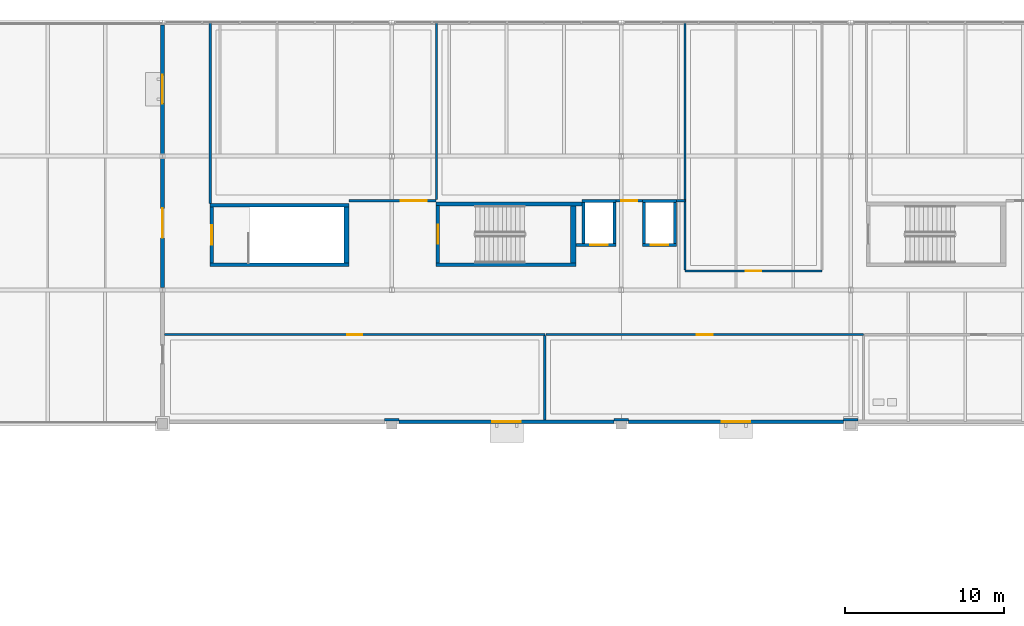
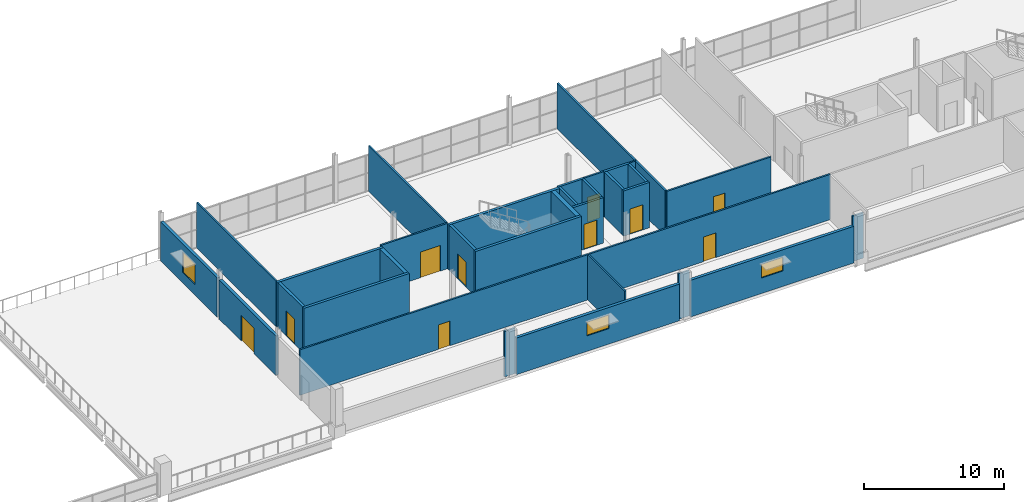
# One storey, part 58 of 68: 34 walls, 10 doors, 3 windows, 13 openings.
"""IFC4 building model written with IfcOpenShell, lengths in metres."""

from ifc_helpers import new_model, si_unit, direction, frame, frame_2d, origin, place, context, subcontext, project, spatial, rectangle, extrude, material, layer, layer_set, type_object, element, fill, save


model = new_model("IFC4")

# Units and contexts
model_context = context("Model", 3, precision=1e-05, world=origin(), true_north=direction((0.0, 1.0)))
body_context = subcontext(model_context, "Body", "Model", "MODEL_VIEW")
ifc_project = project(units=[si_unit("LENGTHUNIT", "METRE"), si_unit("AREAUNIT", "SQUARE_METRE"), si_unit("VOLUMEUNIT", "CUBIC_METRE"), si_unit("PLANEANGLEUNIT", "RADIAN"), si_unit("MASSUNIT", "GRAM", prefix="KILO"), si_unit("THERMODYNAMICTEMPERATUREUNIT", "KELVIN")], contexts=[model_context])

# Site, building, storey
site_placement = place(None, origin())
site = spatial("IfcSite", under=ifc_project, at=site_placement, CompositionType="ELEMENT")
building_placement = place(site_placement, origin())
building = spatial("IfcBuilding", under=site, at=building_placement, Name="Nduvali Passage Aquatics Centre", CompositionType="ELEMENT")
storey_placement = place(building_placement, frame((0.0, 0.0, 13.199951171875)))
storey = spatial("IfcBuildingStorey", under=building, at=storey_placement, Name="L03", CompositionType="ELEMENT", Elevation=13.199951171875)

# Wall, opening, door
ifc_material_1 = material(Name="Precast concrete C40/50", Category="concrete")
ifc_layer_1 = layer(ifc_material_1, 0.239990234375, Name="Precast concrete C40/50")
ifc_layer_set_1 = layer_set([ifc_layer_1], Name="Precast concrete C40/50")
wall_type_1 = type_object("IfcWallType", Name="ENV-WAL-SPAND240", PredefinedType="STANDARD", material=ifc_layer_set_1)
wall_1_placement = place(storey_placement, frame((54.0, 109.050048828125, 0.0), z_axis=(0.0, 0.0, 1.0), x_axis=(0.0, -1.0, 0.0)))
wall_1 = element("IfcWall", 1, at=wall_1_placement, inside=storey, type_object=wall_type_1, Name="L03 North Wing West Stepped Facade 0073", PredefinedType="STANDARD", context=body_context, shape_type="SweptSolid", body=[
    extrude(rectangle(XDim=8.10009765625, YDim=0.239990234375, at=frame_2d((4.050048828125, 0.0))), origin(), (0.0, 0.0, 1.0), 3.4267578125),
])
opening_1_placement = place(wall_1_placement, frame((3.125, 0.0, 0.0)))
opening_1 = element("IfcOpeningElement", 2, at=opening_1_placement, cuts=wall_1, Name="Opening TD-EXT1", PredefinedType="OPENING", context=body_context, shape_type="SweptSolid", body=[
    extrude(rectangle(XDim=1.85009765625, YDim=2.25, at=frame_2d((0.925048828125, 1.125))), frame((0.0, 0.134765625, 0.0), z_axis=(0.0, -1.0, 0.0), x_axis=(1.0, 0.0, 0.0)), (0.0, 0.0, 1.0), 0.269775390625),
])
ifc_material_2 = material(Name="Aluminium-framed glazed door", Category="aluminium")
door_type_1 = type_object("IfcDoorType", Name="ENV-DR-TER180", OperationType="DOUBLE_DOOR_SINGLE_SWING", PredefinedType="DOOR", material=ifc_material_2)
door_1_placement = place(opening_1_placement, frame((1.85009765625, 0.0, 0.0), z_axis=(0.0, 0.0, 1.0), x_axis=(-1.0, 0.0, 0.0)))
door_1 = element("IfcDoor", 3, at=door_1_placement, inside=storey, type_object=door_type_1, Name="L03 Exterior Exit Door TD-EXT1-022", OperationType="DOUBLE_DOOR_SINGLE_SWING", OverallHeight=2.25, OverallWidth=1.85009765625, PredefinedType="DOOR", context=body_context, shape_type="SweptSolid", body=[
    extrude(rectangle(XDim=1.85009765625, YDim=2.25, at=frame_2d((0.925048828125, 1.125))), frame((0.0, 0.02490234375, 0.0), z_axis=(0.0, -1.0, 0.0), x_axis=(1.0, 0.0, 0.0)), (0.0, 0.0, 1.0), 0.050048828125),
])
fill(opening_1, door_1)

# Wall, opening, window
wall_2_placement = place(storey_placement, frame((54.0, 117.449951171875, 0.0), z_axis=(0.0, 0.0, 1.0), x_axis=(0.0, -1.0, 0.0)))
wall_2 = element("IfcWall", 4, at=wall_2_placement, inside=storey, type_object=wall_type_1, Name="L03 North Wing West Stepped Facade 0074", PredefinedType="STANDARD", context=body_context, shape_type="SweptSolid", body=[
    extrude(rectangle(XDim=8.099853515625, YDim=0.239990234375, at=frame_2d((4.0498046875, 0.0))), origin(), (0.0, 0.0, 1.0), 3.4267578125),
])
opening_2_placement = place(wall_2_placement, frame((3.14990234375, 0.0, 0.89990234375)))
opening_2 = element("IfcOpeningElement", 5, at=opening_2_placement, cuts=wall_2, Name="Opening W2", PredefinedType="OPENING", context=body_context, shape_type="SweptSolid", body=[
    extrude(rectangle(XDim=1.800048828125, YDim=1.800048828125, at=frame_2d((0.89990234375, 0.89990234375))), frame((0.0, 0.134765625, 0.0), z_axis=(0.0, -1.0, 0.0), x_axis=(1.0, 0.0, 0.0)), (0.0, 0.0, 1.0), 0.269775390625),
])
ifc_material_3 = material(Name="Aluminium-framed solar-control low-E IGU", Category="aluminium")
window_type_1 = type_object("IfcWindowType", Name="ENV-WIN-W2", PartitioningType="SINGLE_PANEL", PredefinedType="WINDOW", material=ifc_material_3)
window_1_placement = place(opening_2_placement, origin())
window_1 = element("IfcWindow", 6, at=window_1_placement, inside=storey, type_object=window_type_1, Name="L03 Exterior Window W2-0071", OverallHeight=1.800048828125, OverallWidth=1.800048828125, PartitioningType="SINGLE_PANEL", PredefinedType="WINDOW", context=body_context, shape_type="SweptSolid", body=[
    extrude(rectangle(XDim=1.800048828125, YDim=1.800048828125, at=frame_2d((0.89990234375, 0.89990234375))), frame((0.0, 0.030029296875, 0.0), z_axis=(0.0, -1.0, 0.0), x_axis=(1.0, 0.0, 0.0)), (0.0, 0.0, 1.0), 0.06005859375),
])
fill(opening_2, window_1)

wall_3_placement = place(storey_placement, frame((68.85009765625, 92.530029296875, 0.0), z_axis=(0.0, 0.0, 1.0), x_axis=(1.0, 0.0, 0.0)))
wall_3 = element("IfcWall", 7, at=wall_3_placement, inside=storey, type_object=wall_type_1, Name="L03 North Wing South High Overlook Wall 0076", PredefinedType="STANDARD", context=body_context, shape_type="SweptSolid", body=[
    extrude(rectangle(XDim=13.5, YDim=0.239990234375, at=frame_2d((6.75, 0.0))), origin(), (0.0, 0.0, 1.0), 3.203857421875),
])
opening_3_placement = place(wall_3_placement, frame((5.85009765625, 0.0, 1.35009765625)))
opening_3 = element("IfcOpeningElement", 8, at=opening_3_placement, cuts=wall_3, Name="Opening W8", PredefinedType="OPENING", context=body_context, shape_type="SweptSolid", body=[
    extrude(rectangle(XDim=1.800048828125, YDim=1.199951171875, at=frame_2d((0.89990234375, 0.60009765625))), frame((0.0, 0.134765625, 0.0), z_axis=(0.0, -1.0, 0.0), x_axis=(1.0, 0.0, 0.0)), (0.0, 0.0, 1.0), 0.269775390625),
])
window_type_2 = type_object("IfcWindowType", Name="ENV-WIN-W8", PartitioningType="SINGLE_PANEL", PredefinedType="WINDOW", material=ifc_material_3)
window_2_placement = place(opening_3_placement, origin())
window_2 = element("IfcWindow", 9, at=window_2_placement, inside=storey, type_object=window_type_2, Name="L03 Exterior Window W8-0072", OverallHeight=1.199951171875, OverallWidth=1.800048828125, PartitioningType="SINGLE_PANEL", PredefinedType="WINDOW", context=body_context, shape_type="SweptSolid", body=[
    extrude(rectangle(XDim=1.800048828125, YDim=1.199951171875, at=frame_2d((0.89990234375, 0.60009765625))), frame((0.0, 0.030029296875, 0.0), z_axis=(0.0, -1.0, 0.0), x_axis=(1.0, 0.0, 0.0)), (0.0, 0.0, 1.0), 0.06005859375),
])
fill(opening_3, window_2)

wall_4_placement = place(storey_placement, frame((83.25, 92.530029296875, 0.0), z_axis=(0.0, 0.0, 1.0), x_axis=(1.0, 0.0, 0.0)))
wall_4 = element("IfcWall", 10, at=wall_4_placement, inside=storey, type_object=wall_type_1, Name="L03 North Wing South High Overlook Wall 0077", PredefinedType="STANDARD", context=body_context, shape_type="SweptSolid", body=[
    extrude(rectangle(XDim=13.5, YDim=0.239990234375, at=frame_2d((6.75, 0.0))), origin(), (0.0, 0.0, 1.0), 3.203857421875),
])
opening_4_placement = place(wall_4_placement, frame((5.85009765625, 0.0, 1.35009765625)))
opening_4 = element("IfcOpeningElement", 11, at=opening_4_placement, cuts=wall_4, Name="Opening W8", PredefinedType="OPENING", context=body_context, shape_type="SweptSolid", body=[
    extrude(rectangle(XDim=1.800048828125, YDim=1.199951171875, at=frame_2d((0.89990234375, 0.60009765625))), frame((0.0, 0.134765625, 0.0), z_axis=(0.0, -1.0, 0.0), x_axis=(1.0, 0.0, 0.0)), (0.0, 0.0, 1.0), 0.269775390625),
])
window_3_placement = place(opening_4_placement, origin())
window_3 = element("IfcWindow", 12, at=window_3_placement, inside=storey, type_object=window_type_2, Name="L03 Exterior Window W8-0073", OverallHeight=1.199951171875, OverallWidth=1.800048828125, PartitioningType="SINGLE_PANEL", PredefinedType="WINDOW", context=body_context, shape_type="SweptSolid", body=[
    extrude(rectangle(XDim=1.800048828125, YDim=1.199951171875, at=frame_2d((0.89990234375, 0.60009765625))), frame((0.0, 0.030029296875, 0.0), z_axis=(0.0, -1.0, 0.0), x_axis=(1.0, 0.0, 0.0)), (0.0, 0.0, 1.0), 0.06005859375),
])
fill(opening_4, window_3)

# Walls
ifc_material_4 = material(Name="Concrete C40/50", Category="concrete")
ifc_layer_2 = layer(ifc_material_4, 0.219970703125, Name="Concrete C40/50")
ifc_layer_set_2 = layer_set([ifc_layer_2], Name="Concrete C40/50")
wall_type_2 = type_object("IfcWallType", Name="INT-WAL-CORE220", PredefinedType="SOLIDWALL", material=ifc_layer_set_2)
wall_5_placement = place(storey_placement, frame((71.179931640625, 102.389892578125, 0.0), z_axis=(0.0, 0.0, 1.0), x_axis=(1.0, 0.0, 0.0)))
element("IfcWall", 13, at=wall_5_placement, inside=storey, type_object=wall_type_2, Name="L03 Stair ST1 Core Wall S", PredefinedType="SOLIDWALL", context=body_context, shape_type="SweptSolid", body=[
    extrude(rectangle(XDim=8.77001953125, YDim=0.219970703125, at=frame_2d((4.385009765625, 0.0))), origin(), (0.0, 0.0, 1.0), 3.969970703125),
])
wall_6_placement = place(storey_placement, frame((80.330078125, 106.199951171875, 0.0), z_axis=(0.0, 0.0, 1.0), x_axis=(-1.0, 0.0, 0.0)))
element("IfcWall", 14, at=wall_6_placement, inside=storey, type_object=wall_type_2, Name="L03 Stair ST1 Core Wall N", PredefinedType="SOLIDWALL", context=body_context, shape_type="SweptSolid", body=[
    extrude(rectangle(XDim=9.150146484375, YDim=0.219970703125, at=frame_2d((4.5751953125, 0.0))), origin(), (0.0, 0.0, 1.0), 3.969970703125),
])

# Wall, opening, door
wall_7_placement = place(storey_placement, frame((71.2900390625, 106.090087890625, 0.0), z_axis=(0.0, 0.0, 1.0), x_axis=(0.0, -1.0, 0.0)))
wall_7 = element("IfcWall", 15, at=wall_7_placement, inside=storey, type_object=wall_type_2, Name="L03 Stair ST1 Core Wall W", PredefinedType="SOLIDWALL", context=body_context, shape_type="SweptSolid", body=[
    extrude(rectangle(XDim=3.590087890625, YDim=0.219970703125, at=frame_2d((1.794921875, 0.0))), origin(), (0.0, 0.0, 1.0), 3.969970703125),
])
opening_5_placement = place(wall_7_placement, frame((1.195068359375, 0.0, 0.0)))
opening_5 = element("IfcOpeningElement", 16, at=opening_5_placement, cuts=wall_7, Name="Opening FD-ST2", PredefinedType="OPENING", context=body_context, shape_type="SweptSolid", body=[
    extrude(rectangle(XDim=1.199951171875, YDim=2.199951171875, at=frame_2d((0.60009765625, 1.10009765625))), frame((0.0, 0.125, 0.0), z_axis=(0.0, -1.0, 0.0), x_axis=(1.0, 0.0, 0.0)), (0.0, 0.0, 1.0), 0.249755859375),
])
ifc_material_5 = material(Name="Galvanised steel door", Category="steel")
door_type_2 = type_object("IfcDoorType", Name="INT-DR-ST120", OperationType="NOTDEFINED", PredefinedType="DOOR", material=ifc_material_5)
door_2_placement = place(opening_5_placement, frame((1.199951171875, 0.0, 0.0), z_axis=(0.0, 0.0, 1.0), x_axis=(-1.0, 0.0, 0.0)))
door_2 = element("IfcDoor", 17, at=door_2_placement, inside=storey, type_object=door_type_2, Name="L03 Stair ST1 Fire Lobby Door", OperationType="SINGLE_SWING_RIGHT", OverallHeight=2.199951171875, OverallWidth=1.199951171875, PredefinedType="DOOR", context=body_context, shape_type="SweptSolid", body=[
    extrude(rectangle(XDim=1.199951171875, YDim=2.199951171875, at=frame_2d((0.60009765625, 1.10009765625))), frame((0.0, 0.02490234375, 0.0), z_axis=(0.0, -1.0, 0.0), x_axis=(1.0, 0.0, 0.0)), (0.0, 0.0, 1.0), 0.050048828125),
])
fill(opening_5, door_2)

# Walls
for number, where, z_axis, x_axis, name in (
    (18, (56.97998046875, 102.389892578125, 0.0), (0.0, 0.0, 1.0), (1.0, 0.0, 0.0), "L03 Stair ST3 Core Wall S"),
    (19, (65.699951171875, 106.1201171875, 0.0), (0.0, 0.0, 1.0), (-1.0, 0.0, 0.0), "L03 Stair ST3 Core Wall N"),
):
    element("IfcWall", number, at=place(storey_placement, frame(where, z_axis=z_axis, x_axis=x_axis)), inside=storey, type_object=wall_type_2, Name=name, PredefinedType="SOLIDWALL", context=body_context, shape_type="SweptSolid", body=[
        extrude(rectangle(XDim=8.719970703125, YDim=0.219970703125, at=frame_2d((4.35986328125, 0.0))), origin(), (0.0, 0.0, 1.0), 3.969970703125),
    ])

# Wall, opening, door
wall_8_placement = place(storey_placement, frame((57.090087890625, 106.010009765625, 0.0), z_axis=(0.0, 0.0, 1.0), x_axis=(0.0, -1.0, 0.0)))
wall_8 = element("IfcWall", 20, at=wall_8_placement, inside=storey, type_object=wall_type_2, Name="L03 Stair ST3 Core Wall W", PredefinedType="SOLIDWALL", context=body_context, shape_type="SweptSolid", body=[
    extrude(rectangle(XDim=3.510009765625, YDim=0.219970703125, at=frame_2d((1.7548828125, 0.0))), origin(), (0.0, 0.0, 1.0), 3.969970703125),
])
opening_6_placement = place(wall_8_placement, frame((1.155029296875, 0.0, 0.0)))
opening_6 = element("IfcOpeningElement", 21, at=opening_6_placement, cuts=wall_8, Name="Opening FD-ST2", PredefinedType="OPENING", context=body_context, shape_type="SweptSolid", body=[
    extrude(rectangle(XDim=1.199951171875, YDim=2.199951171875, at=frame_2d((0.60009765625, 1.10009765625))), frame((0.0, 0.125, 0.0), z_axis=(0.0, -1.0, 0.0), x_axis=(1.0, 0.0, 0.0)), (0.0, 0.0, 1.0), 0.249755859375),
])
door_3_placement = place(opening_6_placement, frame((1.199951171875, 0.0, 0.0), z_axis=(0.0, 0.0, 1.0), x_axis=(-1.0, 0.0, 0.0)))
door_3 = element("IfcDoor", 22, at=door_3_placement, inside=storey, type_object=door_type_2, Name="L03 Stair ST3 Fire Lobby Door", OperationType="SINGLE_SWING_LEFT", OverallHeight=2.199951171875, OverallWidth=1.199951171875, PredefinedType="DOOR", context=body_context, shape_type="SweptSolid", body=[
    extrude(rectangle(XDim=1.199951171875, YDim=2.199951171875, at=frame_2d((0.60009765625, 1.10009765625))), frame((0.0, 0.02490234375, 0.0), z_axis=(0.0, -1.0, 0.0), x_axis=(1.0, 0.0, 0.0)), (0.0, 0.0, 1.0), 0.050048828125),
])
fill(opening_6, door_3)

ifc_material_6 = material(Name="Gypsum acoustic stud partition")
ifc_layer_3 = layer(ifc_material_6, 0.139892578125, Name="Gypsum acoustic stud partition")
ifc_layer_set_3 = layer_set([ifc_layer_3], Name="Gypsum acoustic stud partition")
wall_type_3 = type_object("IfcWallType", Name="INT-WAL-PART140", PredefinedType="PARTITIONING", material=ifc_layer_set_3)
wall_9_placement = place(storey_placement, frame((65.699951171875, 106.39990234375, 0.0), z_axis=(0.0, 0.0, 1.0), x_axis=(1.0, 0.0, 0.0)))
wall_9 = element("IfcWall", 23, at=wall_9_placement, inside=storey, type_object=wall_type_3, Name="L03 Community Water-Safety Teaching Suite 1 Partition 0203", PredefinedType="PARTITIONING", context=body_context, shape_type="SweptSolid", body=[
    extrude(rectangle(XDim=5.47998046875, YDim=0.139892578125, at=frame_2d((2.739990234375, 0.0))), origin(), (0.0, 0.0, 1.0), 3.969970703125),
])
opening_7_placement = place(wall_9_placement, frame((3.2451171875, 0.0, 0.0)))
opening_7 = element("IfcOpeningElement", 24, at=opening_7_placement, cuts=wall_9, Name="Opening SD1", PredefinedType="OPENING", context=body_context, shape_type="SweptSolid", body=[
    extrude(rectangle(XDim=1.64990234375, YDim=2.25, at=frame_2d((0.824951171875, 1.125))), frame((0.0, 0.0849609375, 0.0), z_axis=(0.0, -1.0, 0.0), x_axis=(1.0, 0.0, 0.0)), (0.0, 0.0, 1.0), 0.169677734375),
])
door_type_3 = type_object("IfcDoorType", Name="INT-DR-SLD160", OperationType="DOUBLE_DOOR_SLIDING", PredefinedType="DOOR", material=ifc_material_2)
door_4_placement = place(opening_7_placement, origin())
door_4 = element("IfcDoor", 25, at=door_4_placement, inside=storey, type_object=door_type_3, Name="L03 Community Water-Safety Teaching Suite 1 Door 0070", OperationType="DOUBLE_DOOR_SLIDING", OverallHeight=2.25, OverallWidth=1.64990234375, PredefinedType="DOOR", context=body_context, shape_type="SweptSolid", body=[
    extrude(rectangle(XDim=1.64990234375, YDim=2.25, at=frame_2d((0.824951171875, 1.125))), frame((0.0, 0.02490234375, 0.0), z_axis=(0.0, -1.0, 0.0), x_axis=(1.0, 0.0, 0.0)), (0.0, 0.0, 1.0), 0.050048828125),
])
fill(opening_7, door_4)

# Walls
wall_10_placement = place(storey_placement, frame((57.0, 106.22998046875, 0.0), z_axis=(0.0, 0.0, 1.0), x_axis=(0.0, 1.0, 0.0)))
element("IfcWall", 26, at=wall_10_placement, inside=storey, type_object=wall_type_3, Name="L03 Community Water-Safety Teaching Suite 1 Partition 0204", PredefinedType="PARTITIONING", context=body_context, shape_type="SweptSolid", body=[
    extrude(rectangle(XDim=11.35009765625, YDim=0.139892578125, at=frame_2d((5.675048828125, 0.0))), origin(), (0.0, 0.0, 1.0), 3.969970703125),
])
wall_11_placement = place(storey_placement, frame((71.199951171875, 106.469970703125, 0.0), z_axis=(0.0, 0.0, 1.0), x_axis=(0.0, 1.0, 0.0)))
element("IfcWall", 27, at=wall_11_placement, inside=storey, type_object=wall_type_3, Name="L03 Community Water-Safety Teaching Suite 1 Partition 0205", PredefinedType="PARTITIONING", context=body_context, shape_type="SweptSolid", body=[
    extrude(rectangle(XDim=11.110107421875, YDim=0.139892578125, at=frame_2d((5.55517578125, 0.0))), origin(), (0.0, 0.0, 1.0), 3.969970703125),
])

# Wall, opening, door
wall_12_placement = place(storey_placement, frame((82.469970703125, 106.39990234375, 0.0), z_axis=(0.0, 0.0, 1.0), x_axis=(1.0, 0.0, 0.0)))
wall_12 = element("IfcWall", 28, at=wall_12_placement, inside=storey, type_object=wall_type_3, Name="L03 Marine Lifesaving Simulation Classroom Partition 0206", PredefinedType="PARTITIONING", context=body_context, shape_type="SweptSolid", body=[
    extrude(rectangle(XDim=1.659912109375, YDim=0.139892578125, at=frame_2d((0.830078125, 0.0))), origin(), (0.0, 0.0, 1.0), 3.969970703125),
])
opening_8_placement = place(wall_12_placement, frame((0.320068359375, 0.0, 0.0)))
opening_8 = element("IfcOpeningElement", 29, at=opening_8_placement, cuts=wall_12, Name="Opening ID1", PredefinedType="OPENING", context=body_context, shape_type="SweptSolid", body=[
    extrude(rectangle(XDim=1.02001953125, YDim=2.14990234375, at=frame_2d((0.510009765625, 1.074951171875))), frame((0.0, 0.0849609375, 0.0), z_axis=(0.0, -1.0, 0.0), x_axis=(1.0, 0.0, 0.0)), (0.0, 0.0, 1.0), 0.169677734375),
])
ifc_material_7 = material(Name="Timber solid-core door", Category="wood")
door_type_4 = type_object("IfcDoorType", Name="INT-DR-STD100", OperationType="NOTDEFINED", PredefinedType="DOOR", material=ifc_material_7)
door_5_placement = place(opening_8_placement, frame((1.02001953125, 0.0, 0.0), z_axis=(0.0, 0.0, 1.0), x_axis=(-1.0, 0.0, 0.0)))
door_5 = element("IfcDoor", 30, at=door_5_placement, inside=storey, type_object=door_type_4, Name="L03 Marine Lifesaving Simulation Classroom Door 0071", OperationType="SINGLE_SWING_RIGHT", OverallHeight=2.14990234375, OverallWidth=1.02001953125, PredefinedType="DOOR", context=body_context, shape_type="SweptSolid", body=[
    extrude(rectangle(XDim=1.02001953125, YDim=2.14990234375, at=frame_2d((0.510009765625, 1.074951171875))), frame((0.0, 0.02490234375, 0.0), z_axis=(0.0, -1.0, 0.0), x_axis=(1.0, 0.0, 0.0)), (0.0, 0.0, 1.0), 0.050048828125),
])
fill(opening_8, door_5)

# Walls
wall_13_placement = place(storey_placement, frame((86.27001953125, 106.39990234375, 0.0), z_axis=(0.0, 0.0, 1.0), x_axis=(1.0, 0.0, 0.0)))
element("IfcWall", 31, at=wall_13_placement, inside=storey, type_object=wall_type_3, Name="L03 Marine Lifesaving Simulation Classroom Partition 0207", PredefinedType="PARTITIONING", context=body_context, shape_type="SweptSolid", body=[
    extrude(rectangle(XDim=0.530029296875, YDim=0.139892578125, at=frame_2d((0.26513671875, 0.0))), origin(), (0.0, 0.0, 1.0), 3.969970703125),
])
wall_14_placement = place(storey_placement, frame((86.800048828125, 106.469970703125, 0.0), z_axis=(0.0, 0.0, 1.0), x_axis=(0.0, 1.0, 0.0)))
element("IfcWall", 32, at=wall_14_placement, inside=storey, type_object=wall_type_3, Name="L03 Marine Lifesaving Simulation Classroom Partition 0208", PredefinedType="PARTITIONING", context=body_context, shape_type="SweptSolid", body=[
    extrude(rectangle(XDim=11.110107421875, YDim=0.139892578125, at=frame_2d((5.55517578125, 0.0))), origin(), (0.0, 0.0, 1.0), 3.969970703125),
])

# Wall, opening, door
wall_15_placement = place(storey_placement, frame((86.800048828125, 102.0, 0.0), z_axis=(0.0, 0.0, 1.0), x_axis=(1.0, 0.0, 0.0)))
wall_15 = element("IfcWall", 33, at=wall_15_placement, inside=storey, type_object=wall_type_3, Name="L03 Tanzania Aquatics Federation Administration Suite Partition 0209", PredefinedType="PARTITIONING", context=body_context, shape_type="SweptSolid", body=[
    extrude(rectangle(XDim=8.599853515625, YDim=0.139892578125, at=frame_2d((4.2998046875, 0.0))), origin(), (0.0, 0.0, 1.0), 3.969970703125),
])
opening_9_placement = place(wall_15_placement, frame((3.824951171875, 0.0, 0.0)))
opening_9 = element("IfcOpeningElement", 34, at=opening_9_placement, cuts=wall_15, Name="Opening ID2", PredefinedType="OPENING", context=body_context, shape_type="SweptSolid", body=[
    extrude(rectangle(XDim=0.949951171875, YDim=2.14990234375, at=frame_2d((0.47509765625, 1.074951171875))), frame((0.0, 0.0849609375, 0.0), z_axis=(0.0, -1.0, 0.0), x_axis=(1.0, 0.0, 0.0)), (0.0, 0.0, 1.0), 0.169677734375),
])
door_type_5 = type_object("IfcDoorType", Name="INT-DR-STD95", OperationType="NOTDEFINED", PredefinedType="DOOR", material=ifc_material_7)
door_6_placement = place(opening_9_placement, origin())
door_6 = element("IfcDoor", 35, at=door_6_placement, inside=storey, type_object=door_type_5, Name="L03 Tanzania Aquatics Federation Administration Suite Door 0072", OperationType="SINGLE_SWING_LEFT", OverallHeight=2.14990234375, OverallWidth=0.949951171875, PredefinedType="DOOR", context=body_context, shape_type="SweptSolid", body=[
    extrude(rectangle(XDim=0.949951171875, YDim=2.14990234375, at=frame_2d((0.47509765625, 1.074951171875))), frame((0.0, 0.02490234375, 0.0), z_axis=(0.0, -1.0, 0.0), x_axis=(1.0, 0.0, 0.0)), (0.0, 0.0, 1.0), 0.050048828125),
])
fill(opening_9, door_6)

# Wall
wall_16_placement = place(storey_placement, frame((86.800048828125, 102.070068359375, 0.0), z_axis=(0.0, 0.0, 1.0), x_axis=(0.0, 1.0, 0.0)))
element("IfcWall", 36, at=wall_16_placement, inside=storey, type_object=wall_type_3, Name="L03 Tanzania Aquatics Federation Administration Suite Partition 0210", PredefinedType="PARTITIONING", context=body_context, shape_type="SweptSolid", body=[
    extrude(rectangle(XDim=4.39990234375, YDim=0.139892578125, at=frame_2d((2.199951171875, 0.0))), origin(), (0.0, 0.0, 1.0), 3.969970703125),
])

# Wall, opening, door
wall_17_placement = place(storey_placement, frame((54.1201171875, 98.0, 0.0), z_axis=(0.0, 0.0, 1.0), x_axis=(1.0, 0.0, 0.0)))
wall_17 = element("IfcWall", 37, at=wall_17_placement, inside=storey, type_object=wall_type_3, Name="L03 Lifeguard Certification and Coaching Seminar Suite Partition 0216", PredefinedType="PARTITIONING", context=body_context, shape_type="SweptSolid", body=[
    extrude(rectangle(XDim=23.8798828125, YDim=0.139892578125, at=frame_2d((11.93994140625, 0.0))), origin(), (0.0, 0.0, 1.0), 3.969970703125),
])
opening_10_placement = place(wall_17_placement, frame((11.465087890625, 0.0, 0.0)))
opening_10 = element("IfcOpeningElement", 38, at=opening_10_placement, cuts=wall_17, Name="Opening ID2", PredefinedType="OPENING", context=body_context, shape_type="SweptSolid", body=[
    extrude(rectangle(XDim=0.949951171875, YDim=2.14990234375, at=frame_2d((0.47509765625, 1.074951171875))), frame((0.0, 0.0849609375, 0.0), z_axis=(0.0, -1.0, 0.0), x_axis=(1.0, 0.0, 0.0)), (0.0, 0.0, 1.0), 0.169677734375),
])
door_7_placement = place(opening_10_placement, origin())
door_7 = element("IfcDoor", 39, at=door_7_placement, inside=storey, type_object=door_type_5, Name="L03 Lifeguard Certification and Coaching Seminar Suite Door 0074", OperationType="SINGLE_SWING_LEFT", OverallHeight=2.14990234375, OverallWidth=0.949951171875, PredefinedType="DOOR", context=body_context, shape_type="SweptSolid", body=[
    extrude(rectangle(XDim=0.949951171875, YDim=2.14990234375, at=frame_2d((0.47509765625, 1.074951171875))), frame((0.0, 0.02490234375, 0.0), z_axis=(0.0, -1.0, 0.0), x_axis=(1.0, 0.0, 0.0)), (0.0, 0.0, 1.0), 0.050048828125),
])
fill(opening_10, door_7)

# Walls
wall_18_placement = place(storey_placement, frame((67.949951171875, 92.659912109375, 0.0), z_axis=(0.0, 0.0, 1.0), x_axis=(1.0, 0.0, 0.0)))
element("IfcWall", 40, at=wall_18_placement, inside=storey, type_object=wall_type_3, Name="L03 Lifeguard Certification and Coaching Seminar Suite Partition 0217", PredefinedType="PARTITIONING", context=body_context, shape_type="SweptSolid", body=[
    extrude(rectangle(XDim=0.900146484375, YDim=0.139892578125, at=frame_2d((0.4501953125, 0.0))), origin(), (0.0, 0.0, 1.0), 3.969970703125),
])
wall_19_placement = place(storey_placement, frame((78.0, 92.64990234375, 0.0), z_axis=(0.0, 0.0, 1.0), x_axis=(0.0, 1.0, 0.0)))
element("IfcWall", 41, at=wall_19_placement, inside=storey, type_object=wall_type_3, Name="L03 Lifeguard Certification and Coaching Seminar Suite Partition 0218", PredefinedType="PARTITIONING", context=body_context, shape_type="SweptSolid", body=[
    extrude(rectangle(XDim=5.280029296875, YDim=0.139892578125, at=frame_2d((2.64013671875, 0.0))), origin(), (0.0, 0.0, 1.0), 3.969970703125),
])

# Wall, opening, door
wall_20_placement = place(storey_placement, frame((78.070068359375, 98.0, 0.0), z_axis=(0.0, 0.0, 1.0), x_axis=(1.0, 0.0, 0.0)))
wall_20 = element("IfcWall", 42, at=wall_20_placement, inside=storey, type_object=wall_type_3, Name="L03 Championship Organising Committee Boardroom Partition 0219", PredefinedType="PARTITIONING", context=body_context, shape_type="SweptSolid", body=[
    extrude(rectangle(XDim=19.929931640625, YDim=0.139892578125, at=frame_2d((9.96484375, 0.0))), origin(), (0.0, 0.0, 1.0), 3.969970703125),
])
opening_11_placement = place(wall_20_placement, frame((9.455078125, 0.0, 0.0)))
opening_11 = element("IfcOpeningElement", 43, at=opening_11_placement, cuts=wall_20, Name="Opening ID1", PredefinedType="OPENING", context=body_context, shape_type="SweptSolid", body=[
    extrude(rectangle(XDim=1.02001953125, YDim=2.14990234375, at=frame_2d((0.510009765625, 1.074951171875))), frame((0.0, 0.0849609375, 0.0), z_axis=(0.0, -1.0, 0.0), x_axis=(1.0, 0.0, 0.0)), (0.0, 0.0, 1.0), 0.169677734375),
])
door_8_placement = place(opening_11_placement, frame((1.02001953125, 0.0, 0.0), z_axis=(0.0, 0.0, 1.0), x_axis=(-1.0, 0.0, 0.0)))
door_8 = element("IfcDoor", 44, at=door_8_placement, inside=storey, type_object=door_type_4, Name="L03 Championship Organising Committee Boardroom Door 0075", OperationType="SINGLE_SWING_RIGHT", OverallHeight=2.14990234375, OverallWidth=1.02001953125, PredefinedType="DOOR", context=body_context, shape_type="SweptSolid", body=[
    extrude(rectangle(XDim=1.02001953125, YDim=2.14990234375, at=frame_2d((0.510009765625, 1.074951171875))), frame((0.0, 0.02490234375, 0.0), z_axis=(0.0, -1.0, 0.0), x_axis=(1.0, 0.0, 0.0)), (0.0, 0.0, 1.0), 0.050048828125),
])
fill(opening_11, door_8)

# Walls
for number, where, z_axis, x_axis, name in (
    (45, (82.35009765625, 92.659912109375, 0.0), (0.0, 0.0, 1.0), (1.0, 0.0, 0.0), "L03 Championship Organising Committee Boardroom Partition 0220"),
    (46, (96.75, 92.659912109375, 0.0), (0.0, 0.0, 1.0), (1.0, 0.0, 0.0), "L03 Championship Organising Committee Boardroom Partition 0221"),
):
    element("IfcWall", number, at=place(storey_placement, frame(where, z_axis=z_axis, x_axis=x_axis)), inside=storey, type_object=wall_type_3, Name=name, PredefinedType="PARTITIONING", context=body_context, shape_type="SweptSolid", body=[
        extrude(rectangle(XDim=0.89990234375, YDim=0.139892578125, at=frame_2d((0.449951171875, 0.0))), origin(), (0.0, 0.0, 1.0), 3.969970703125),
    ])

# Wall, opening, door
ifc_layer_4 = layer(ifc_material_4, 0.18994140625, Name="Concrete C40/50")
ifc_layer_set_4 = layer_set([ifc_layer_4], Name="Concrete C40/50")
wall_type_4 = type_object("IfcWallType", Name="INT-WAL-SHAFT200", PredefinedType="SOLIDWALL", material=ifc_layer_set_4)
wall_21_placement = place(storey_placement, frame((79.949951171875, 103.625, 0.0), z_axis=(0.0, 0.0, 1.0), x_axis=(1.0, 0.0, 0.0)))
wall_21 = element("IfcWall", 47, at=wall_21_placement, inside=storey, type_object=wall_type_4, Name="L03 Lift L1 Shaft Wall S", PredefinedType="SOLIDWALL", context=body_context, shape_type="SweptSolid", body=[
    extrude(rectangle(XDim=2.52001953125, YDim=0.18994140625, at=frame_2d((1.260009765625, 0.0))), origin(), (0.0, 0.0, 1.0), 3.969970703125),
])
opening_12_placement = place(wall_21_placement, frame((0.89990234375, 0.0, 0.0)))
opening_12 = element("IfcOpeningElement", 48, at=opening_12_placement, cuts=wall_21, Name="Opening LD1", PredefinedType="OPENING", context=body_context, shape_type="SweptSolid", body=[
    extrude(rectangle(XDim=1.10009765625, YDim=2.199951171875, at=frame_2d((0.550048828125, 1.10009765625))), frame((0.0, 0.10986328125, 0.0), z_axis=(0.0, -1.0, 0.0), x_axis=(1.0, 0.0, 0.0)), (0.0, 0.0, 1.0), 0.2197265625),
])
ifc_material_8 = material(Name="Stainless steel landing door", Category="steel")
door_type_6 = type_object("IfcDoorType", Name="INT-DR-LD1", OperationType="DOUBLE_DOOR_SLIDING", PredefinedType="DOOR", material=ifc_material_8)
door_9_placement = place(opening_12_placement, origin())
door_9 = element("IfcDoor", 49, at=door_9_placement, inside=storey, type_object=door_type_6, Name="L03 Lift L1 Sliding Landing Door LD1", OperationType="DOUBLE_DOOR_SLIDING", OverallHeight=2.199951171875, OverallWidth=1.10009765625, PredefinedType="DOOR", context=body_context, shape_type="SweptSolid", body=[
    extrude(rectangle(XDim=1.10009765625, YDim=2.199951171875, at=frame_2d((0.550048828125, 1.10009765625))), frame((0.0, 0.02490234375, 0.0), z_axis=(0.0, -1.0, 0.0), x_axis=(1.0, 0.0, 0.0)), (0.0, 0.0, 1.0), 0.050048828125),
])
fill(opening_12, door_9)

# Walls
wall_22_placement = place(storey_placement, frame((82.375, 103.719970703125, 0.0), z_axis=(0.0, 0.0, 1.0), x_axis=(0.0, 1.0, 0.0)))
element("IfcWall", 50, at=wall_22_placement, inside=storey, type_object=wall_type_4, Name="L03 Lift L1 Shaft Wall E", PredefinedType="SOLIDWALL", context=body_context, shape_type="SweptSolid", body=[
    extrude(rectangle(XDim=2.56005859375, YDim=0.18994140625, at=frame_2d((1.280029296875, 0.0))), origin(), (0.0, 0.0, 1.0), 3.969970703125),
])
wall_23_placement = place(storey_placement, frame((82.469970703125, 106.375, 0.0), z_axis=(0.0, 0.0, 1.0), x_axis=(-1.0, 0.0, 0.0)))
element("IfcWall", 51, at=wall_23_placement, inside=storey, type_object=wall_type_4, Name="L03 Lift L1 Shaft Wall N", PredefinedType="SOLIDWALL", context=body_context, shape_type="SweptSolid", body=[
    extrude(rectangle(XDim=2.139892578125, YDim=0.18994140625, at=frame_2d((1.06982421875, 0.0))), origin(), (0.0, 0.0, 1.0), 3.969970703125),
])
wall_24_placement = place(storey_placement, frame((80.425048828125, 106.280029296875, 0.0), z_axis=(0.0, 0.0, 1.0), x_axis=(0.0, -1.0, 0.0)))
element("IfcWall", 52, at=wall_24_placement, inside=storey, type_object=wall_type_4, Name="L03 Lift L1 Shaft Wall W", PredefinedType="SOLIDWALL", context=body_context, shape_type="SweptSolid", body=[
    extrude(rectangle(XDim=2.56005859375, YDim=0.18994140625, at=frame_2d((1.280029296875, 0.0))), origin(), (0.0, 0.0, 1.0), 3.969970703125),
])

# Wall, opening, door
wall_25_placement = place(storey_placement, frame((84.1298828125, 103.625, 0.0), z_axis=(0.0, 0.0, 1.0), x_axis=(1.0, 0.0, 0.0)))
wall_25 = element("IfcWall", 53, at=wall_25_placement, inside=storey, type_object=wall_type_4, Name="L03 Lift L2 Shaft Wall S", PredefinedType="SOLIDWALL", context=body_context, shape_type="SweptSolid", body=[
    extrude(rectangle(XDim=2.14013671875, YDim=0.18994140625, at=frame_2d((1.070068359375, 0.0))), origin(), (0.0, 0.0, 1.0), 3.969970703125),
])
opening_13_placement = place(wall_25_placement, frame((0.52001953125, 0.0, 0.0)))
opening_13 = element("IfcOpeningElement", 54, at=opening_13_placement, cuts=wall_25, Name="Opening LD2", PredefinedType="OPENING", context=body_context, shape_type="SweptSolid", body=[
    extrude(rectangle(XDim=1.10009765625, YDim=2.199951171875, at=frame_2d((0.550048828125, 1.10009765625))), frame((0.0, 0.10986328125, 0.0), z_axis=(0.0, -1.0, 0.0), x_axis=(1.0, 0.0, 0.0)), (0.0, 0.0, 1.0), 0.2197265625),
])
door_type_7 = type_object("IfcDoorType", Name="INT-DR-LD2", OperationType="DOUBLE_DOOR_SLIDING", PredefinedType="DOOR", material=ifc_material_8)
door_10_placement = place(opening_13_placement, origin())
door_10 = element("IfcDoor", 55, at=door_10_placement, inside=storey, type_object=door_type_7, Name="L03 Lift L2 Sliding Landing Door LD2", OperationType="DOUBLE_DOOR_SLIDING", OverallHeight=2.199951171875, OverallWidth=1.10009765625, PredefinedType="DOOR", context=body_context, shape_type="SweptSolid", body=[
    extrude(rectangle(XDim=1.10009765625, YDim=2.199951171875, at=frame_2d((0.550048828125, 1.10009765625))), frame((0.0, 0.02490234375, 0.0), z_axis=(0.0, -1.0, 0.0), x_axis=(1.0, 0.0, 0.0)), (0.0, 0.0, 1.0), 0.050048828125),
])
fill(opening_13, door_10)

# Walls
wall_26_placement = place(storey_placement, frame((86.175048828125, 103.719970703125, 0.0), z_axis=(0.0, 0.0, 1.0), x_axis=(0.0, 1.0, 0.0)))
element("IfcWall", 56, at=wall_26_placement, inside=storey, type_object=wall_type_4, Name="L03 Lift L2 Shaft Wall E", PredefinedType="SOLIDWALL", context=body_context, shape_type="SweptSolid", body=[
    extrude(rectangle(XDim=2.56005859375, YDim=0.18994140625, at=frame_2d((1.280029296875, 0.0))), origin(), (0.0, 0.0, 1.0), 3.969970703125),
])
wall_27_placement = place(storey_placement, frame((86.27001953125, 106.375, 0.0), z_axis=(0.0, 0.0, 1.0), x_axis=(-1.0, 0.0, 0.0)))
element("IfcWall", 57, at=wall_27_placement, inside=storey, type_object=wall_type_4, Name="L03 Lift L2 Shaft Wall N", PredefinedType="SOLIDWALL", context=body_context, shape_type="SweptSolid", body=[
    extrude(rectangle(XDim=2.14013671875, YDim=0.18994140625, at=frame_2d((1.070068359375, 0.0))), origin(), (0.0, 0.0, 1.0), 3.969970703125),
])
wall_28_placement = place(storey_placement, frame((84.22509765625, 106.280029296875, 0.0), z_axis=(0.0, 0.0, 1.0), x_axis=(0.0, -1.0, 0.0)))
element("IfcWall", 58, at=wall_28_placement, inside=storey, type_object=wall_type_4, Name="L03 Lift L2 Shaft Wall W", PredefinedType="SOLIDWALL", context=body_context, shape_type="SweptSolid", body=[
    extrude(rectangle(XDim=2.56005859375, YDim=0.18994140625, at=frame_2d((1.280029296875, 0.0))), origin(), (0.0, 0.0, 1.0), 3.969970703125),
])
ifc_layer_5 = layer(ifc_material_4, 0.300048828125, Name="Concrete C40/50")
ifc_layer_set_5 = layer_set([ifc_layer_5], Name="Concrete C40/50")
wall_type_5 = type_object("IfcWallType", Name="STR-WAL-SHR300", PredefinedType="SHEAR", material=ifc_layer_set_5)
wall_29_placement = place(storey_placement, frame((65.550048828125, 102.5, 0.0), z_axis=(0.0, 0.0, 1.0), x_axis=(0.0, 1.0, 0.0)))
element("IfcWall", 59, at=wall_29_placement, inside=storey, type_object=wall_type_5, Name="L03 Stair ST3 Core Shear Wall E", PredefinedType="SHEAR", context=body_context, shape_type="SweptSolid", body=[
    extrude(rectangle(XDim=3.510009765625, YDim=0.300048828125, at=frame_2d((1.7548828125, 0.0))), origin(), (0.0, 0.0, 1.0), 3.969970703125),
])
ifc_layer_6 = layer(ifc_material_4, 0.35009765625, Name="Concrete C40/50")
ifc_layer_set_6 = layer_set([ifc_layer_6], Name="Concrete C40/50")
wall_type_6 = type_object("IfcWallType", Name="STR-WAL-SHR350", PredefinedType="SHEAR", material=ifc_layer_set_6)
wall_30_placement = place(storey_placement, frame((79.77490234375, 102.5, 0.0), z_axis=(0.0, 0.0, 1.0), x_axis=(0.0, 1.0, 0.0)))
element("IfcWall", 60, at=wall_30_placement, inside=storey, type_object=wall_type_6, Name="L03 Stair ST1 Core Shear Wall E", PredefinedType="SHEAR", context=body_context, shape_type="SweptSolid", body=[
    extrude(rectangle(XDim=3.590087890625, YDim=0.35009765625, at=frame_2d((1.794921875, 0.0))), origin(), (0.0, 0.0, 1.0), 3.969970703125),
])

save(model, "model.ifc")
